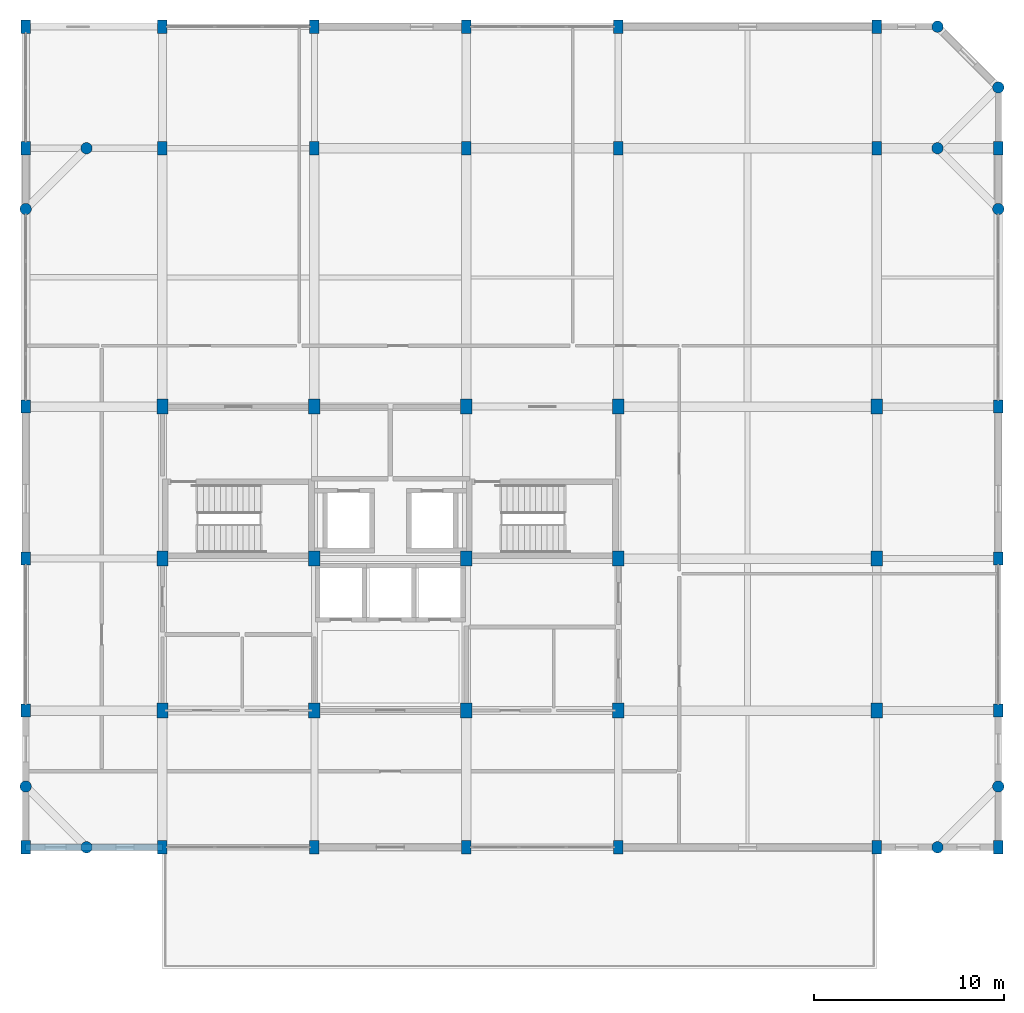
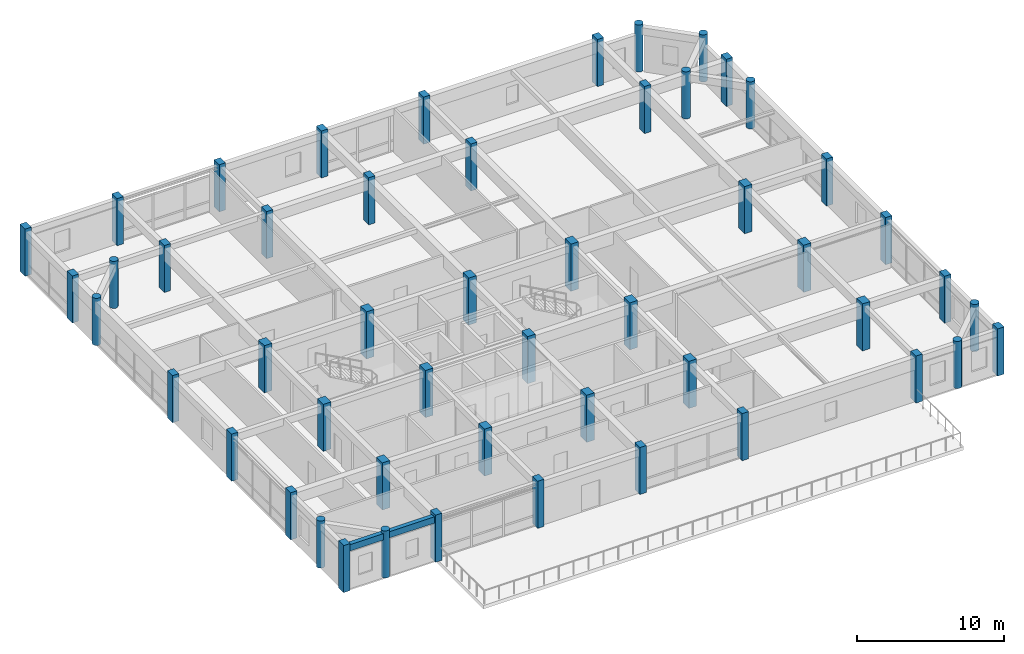
# One storey, part 1 of 13: 51 columns, 1 beam.
"""IFC4 building model written with IfcOpenShell, lengths in metres."""

from ifc_helpers import new_model, si_unit, direction, frame, origin, origin_2d, place, context, subcontext, project, spatial, rectangle, circle, extrude, material, material_profile, profile_set, type_object, element, save


model = new_model("IFC4")

# Units and contexts
model_context = context("Model", 3, precision=1e-05, world=origin(), true_north=direction((0.0, 1.0)))
body_context = subcontext(model_context, "Body", "Model", "MODEL_VIEW")
ifc_project = project(units=[si_unit("LENGTHUNIT", "METRE"), si_unit("AREAUNIT", "SQUARE_METRE"), si_unit("VOLUMEUNIT", "CUBIC_METRE"), si_unit("PLANEANGLEUNIT", "RADIAN"), si_unit("MASSUNIT", "GRAM", prefix="KILO")], contexts=[model_context])

# Site, building, storey
site_placement = place(None, origin())
site = spatial("IfcSite", under=ifc_project, at=site_placement, CompositionType="ELEMENT")
building_placement = place(site_placement, origin())
building = spatial("IfcBuilding", under=site, at=building_placement, Name="Vellmiral Cinema and Media Centre", CompositionType="ELEMENT")
storey_placement = place(building_placement, frame((0.0, 0.0, 50.89990234375)))
storey = spatial("IfcBuildingStorey", under=building, at=storey_placement, Name="L12", CompositionType="ELEMENT", Elevation=50.89990234375)

# Columns
ifc_material_1 = material(Name="Concrete C40/50", Category="concrete")
ifc_material_profile_1 = material_profile(ifc_material_1, rectangle(XDim=0.5, YDim=0.699951171875, at=origin_2d()), Name="RC 500x700")
ifc_profile_set_1 = profile_set([ifc_material_profile_1], Name="Concrete C40/50")
column_type_1 = type_object("IfcColumnType", Name="COL-RC-500x700", PredefinedType="COLUMN", material=ifc_profile_set_1)
for number, where, z_axis, x_axis, name in (
    (1, (116.800048828125, 72.0, 0.0), (0.0, 0.0, 1.0), (1.0, 0.0, 0.0), "Column L12-001"),
    (2, (116.800048828125, 79.199951171875, 0.0), (0.0, 0.0, 1.0), (1.0, 0.0, 0.0), "Column L12-003"),
    (3, (116.800048828125, 87.199951171875, 0.0), (0.0, 0.0, 1.0), (1.0, 0.0, 0.0), "Column L12-004"),
    (4, (116.800048828125, 95.199951171875, 0.0), (0.0, 0.0, 1.0), (1.0, 0.0, 0.0), "Column L12-005"),
    (5, (116.800048828125, 108.800048828125, 0.0), (0.0, 0.0, 1.0), (1.0, 0.0, 0.0), "Column L12-007"),
    (6, (116.800048828125, 115.199951171875, 0.0), (0.0, 0.0, 1.0), (1.0, 0.0, 0.0), "Column L12-008"),
    (7, (124.0, 72.0, 0.0), (0.0, 0.0, 1.0), (1.0, 0.0, 0.0), "Column L12-011"),
    (8, (124.0, 108.800048828125, 0.0), (0.0, 0.0, 1.0), (1.0, 0.0, 0.0), "Column L12-015"),
    (9, (124.0, 115.199951171875, 0.0), (0.0, 0.0, 1.0), (1.0, 0.0, 0.0), "Column L12-016"),
    (10, (132.0, 72.0, 0.0), (0.0, 0.0, 1.0), (1.0, 0.0, 0.0), "Column L12-017"),
    (11, (132.0, 108.800048828125, 0.0), (0.0, 0.0, 1.0), (1.0, 0.0, 0.0), "Column L12-021"),
    (12, (132.0, 115.199951171875, 0.0), (0.0, 0.0, 1.0), (1.0, 0.0, 0.0), "Column L12-022"),
    (13, (140.0, 72.0, 0.0), (0.0, 0.0, 1.0), (1.0, 0.0, 0.0), "Column L12-023"),
    (14, (140.0, 108.800048828125, 0.0), (0.0, 0.0, 1.0), (1.0, 0.0, 0.0), "Column L12-027"),
    (15, (140.0, 115.199951171875, 0.0), (0.0, 0.0, 1.0), (1.0, 0.0, 0.0), "Column L12-028"),
    (16, (148.0, 72.0, 0.0), (0.0, 0.0, 1.0), (1.0, 0.0, 0.0), "Column L12-029"),
    (17, (148.0, 108.800048828125, 0.0), (0.0, 0.0, 1.0), (1.0, 0.0, 0.0), "Column L12-033"),
    (18, (148.0, 115.199951171875, 0.0), (0.0, 0.0, 1.0), (1.0, 0.0, 0.0), "Column L12-034"),
    (19, (161.60009765625, 72.0, 0.0), (0.0, 0.0, 1.0), (1.0, 0.0, 0.0), "Column L12-035"),
    (20, (161.60009765625, 108.800048828125, 0.0), (0.0, 0.0, 1.0), (1.0, 0.0, 0.0), "Column L12-039"),
    (21, (161.60009765625, 115.199951171875, 0.0), (0.0, 0.0, 1.0), (1.0, 0.0, 0.0), "Column L12-040"),
    (22, (168.0, 72.0, 0.0), (0.0, 0.0, 1.0), (1.0, 0.0, 0.0), "Column L12-044"),
    (23, (168.0, 79.199951171875, 0.0), (0.0, 0.0, 1.0), (1.0, 0.0, 0.0), "Column L12-046"),
    (24, (168.0, 87.199951171875, 0.0), (0.0, 0.0, 1.0), (1.0, 0.0, 0.0), "Column L12-047"),
    (25, (168.0, 95.199951171875, 0.0), (0.0, 0.0, 1.0), (1.0, 0.0, 0.0), "Column L12-048"),
    (26, (168.0, 108.800048828125, 0.0), (0.0, 0.0, 1.0), (1.0, 0.0, 0.0), "Column L12-050"),
):
    element("IfcColumn", number, at=place(storey_placement, frame(where, z_axis=z_axis, x_axis=x_axis)), inside=storey, type_object=column_type_1, Name=name, PredefinedType="COLUMN", context=body_context, shape_type="SweptSolid", body=[
        extrude(rectangle(XDim=0.5, YDim=0.699951171875, at=origin_2d()), origin(), (0.0, 0.0, 1.0), 3.900146484375),
    ])
ifc_material_2 = material(Name="Concrete C40/50", Category="concrete")
ifc_material_profile_2 = material_profile(ifc_material_2, rectangle(XDim=0.60009765625, YDim=0.800048828125, at=origin_2d()), Name="RC 600x800")
ifc_profile_set_2 = profile_set([ifc_material_profile_2], Name="Concrete C40/50")
column_type_2 = type_object("IfcColumnType", Name="COL-RC-600x800", PredefinedType="COLUMN", material=ifc_profile_set_2)
for number, where, z_axis, x_axis, name in (
    (27, (124.0, 79.199951171875, 0.0), (0.0, 0.0, 1.0), (1.0, 0.0, 0.0), "Column L12-012"),
    (28, (124.0, 87.199951171875, 0.0), (0.0, 0.0, 1.0), (1.0, 0.0, 0.0), "Column L12-013"),
    (29, (124.0, 95.199951171875, 0.0), (0.0, 0.0, 1.0), (1.0, 0.0, 0.0), "Column L12-014"),
    (30, (132.0, 79.199951171875, 0.0), (0.0, 0.0, 1.0), (1.0, 0.0, 0.0), "Column L12-018"),
    (31, (132.0, 87.199951171875, 0.0), (0.0, 0.0, 1.0), (1.0, 0.0, 0.0), "Column L12-019"),
    (32, (132.0, 95.199951171875, 0.0), (0.0, 0.0, 1.0), (1.0, 0.0, 0.0), "Column L12-020"),
    (33, (140.0, 79.199951171875, 0.0), (0.0, 0.0, 1.0), (1.0, 0.0, 0.0), "Column L12-024"),
    (34, (140.0, 87.199951171875, 0.0), (0.0, 0.0, 1.0), (1.0, 0.0, 0.0), "Column L12-025"),
    (35, (140.0, 95.199951171875, 0.0), (0.0, 0.0, 1.0), (1.0, 0.0, 0.0), "Column L12-026"),
    (36, (148.0, 79.199951171875, 0.0), (0.0, 0.0, 1.0), (1.0, 0.0, 0.0), "Column L12-030"),
    (37, (148.0, 87.199951171875, 0.0), (0.0, 0.0, 1.0), (1.0, 0.0, 0.0), "Column L12-031"),
    (38, (148.0, 95.199951171875, 0.0), (0.0, 0.0, 1.0), (1.0, 0.0, 0.0), "Column L12-032"),
    (39, (161.60009765625, 79.199951171875, 0.0), (0.0, 0.0, 1.0), (1.0, 0.0, 0.0), "Column L12-036"),
    (40, (161.60009765625, 87.199951171875, 0.0), (0.0, 0.0, 1.0), (1.0, 0.0, 0.0), "Column L12-037"),
    (41, (161.60009765625, 95.199951171875, 0.0), (0.0, 0.0, 1.0), (1.0, 0.0, 0.0), "Column L12-038"),
):
    element("IfcColumn", number, at=place(storey_placement, frame(where, z_axis=z_axis, x_axis=x_axis)), inside=storey, type_object=column_type_2, Name=name, PredefinedType="COLUMN", context=body_context, shape_type="SweptSolid", body=[
        extrude(rectangle(XDim=0.60009765625, YDim=0.800048828125, at=origin_2d()), origin(), (0.0, 0.0, 1.0), 3.900146484375),
    ])
ifc_material_3 = material(Name="Concrete C40/50", Category="concrete")
ifc_material_profile_3 = material_profile(ifc_material_3, circle(Radius=0.300048828125, at=origin_2d()), Name="RC D600")
ifc_profile_set_3 = profile_set([ifc_material_profile_3], Name="Concrete C40/50")
column_type_3 = type_object("IfcColumnType", Name="COL-RCC-D600", PredefinedType="COLUMN", material=ifc_profile_set_3)
for number, where, z_axis, x_axis, name in (
    (42, (116.800048828125, 75.199951171875, 0.0), (0.0, 0.0, 1.0), (1.0, 0.0, 0.0), "Column L12-002"),
    (43, (116.800048828125, 105.60009765625, 0.0), (0.0, 0.0, 1.0), (1.0, 0.0, 0.0), "Column L12-006"),
    (44, (120.0, 72.0, 0.0), (0.0, 0.0, 1.0), (1.0, 0.0, 0.0), "Column L12-009"),
    (45, (120.0, 108.800048828125, 0.0), (0.0, 0.0, 1.0), (1.0, 0.0, 0.0), "Column L12-010"),
    (46, (164.800048828125, 72.0, 0.0), (0.0, 0.0, 1.0), (1.0, 0.0, 0.0), "Column L12-041"),
    (47, (164.800048828125, 108.800048828125, 0.0), (0.0, 0.0, 1.0), (1.0, 0.0, 0.0), "Column L12-042"),
    (48, (164.800048828125, 115.199951171875, 0.0), (0.0, 0.0, 1.0), (1.0, 0.0, 0.0), "Column L12-043"),
    (49, (168.0, 75.199951171875, 0.0), (0.0, 0.0, 1.0), (1.0, 0.0, 0.0), "Column L12-045"),
    (50, (168.0, 105.60009765625, 0.0), (0.0, 0.0, 1.0), (1.0, 0.0, 0.0), "Column L12-049"),
    (51, (168.0, 112.0, 0.0), (0.0, 0.0, 1.0), (1.0, 0.0, 0.0), "Column L12-051"),
):
    element("IfcColumn", number, at=place(storey_placement, frame(where, z_axis=z_axis, x_axis=x_axis)), inside=storey, type_object=column_type_3, Name=name, PredefinedType="COLUMN", context=body_context, shape_type="SweptSolid", body=[
        extrude(circle(Radius=0.300048828125, at=origin_2d()), origin(), (0.0, 0.0, 1.0), 3.900146484375),
    ])

# Beam
ifc_material_4 = material(Name="Vosges Red Sandstone Masonry", Category="masonry")
ifc_material_profile_4 = material_profile(ifc_material_4, rectangle(XDim=0.340087890625, YDim=0.52001953125, at=origin_2d()), Name="SAND 340x520")
ifc_profile_set_4 = profile_set([ifc_material_profile_4], Name="Vosges Red Sandstone Masonry")
beam_type = type_object("IfcBeamType", Name="SPD-SAND-340x520", PredefinedType="SPANDREL", material=ifc_profile_set_4)
beam_placement = place(storey_placement, frame((116.800048828125, 72.0, 3.39501953125), z_axis=(1.0, 0.0, 0.0), x_axis=(0.0, 1.0, 0.0)))
element("IfcBeam", 52, at=beam_placement, inside=storey, type_object=beam_type, Name="Grid Beam L12-X001", PredefinedType="SPANDREL", context=body_context, shape_type="SweptSolid", body=[
    extrude(rectangle(XDim=0.340087890625, YDim=0.52001953125, at=origin_2d()), origin(), (0.0, 0.0, 1.0), 7.199951171875),
])

save(model, "model.ifc")
